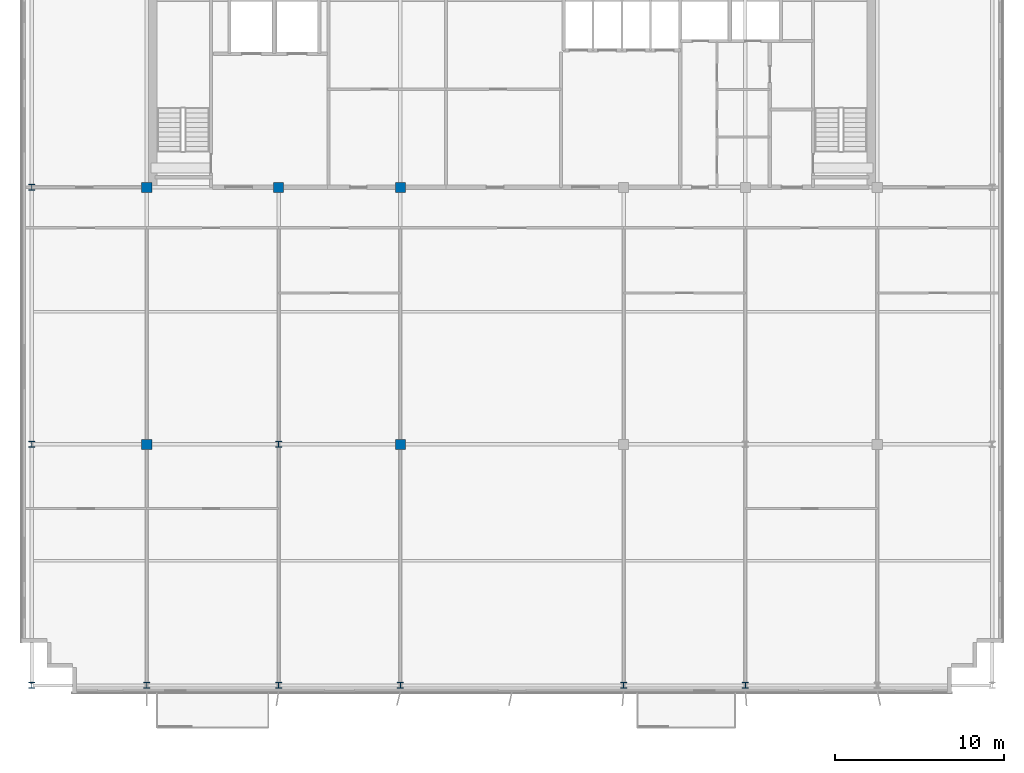
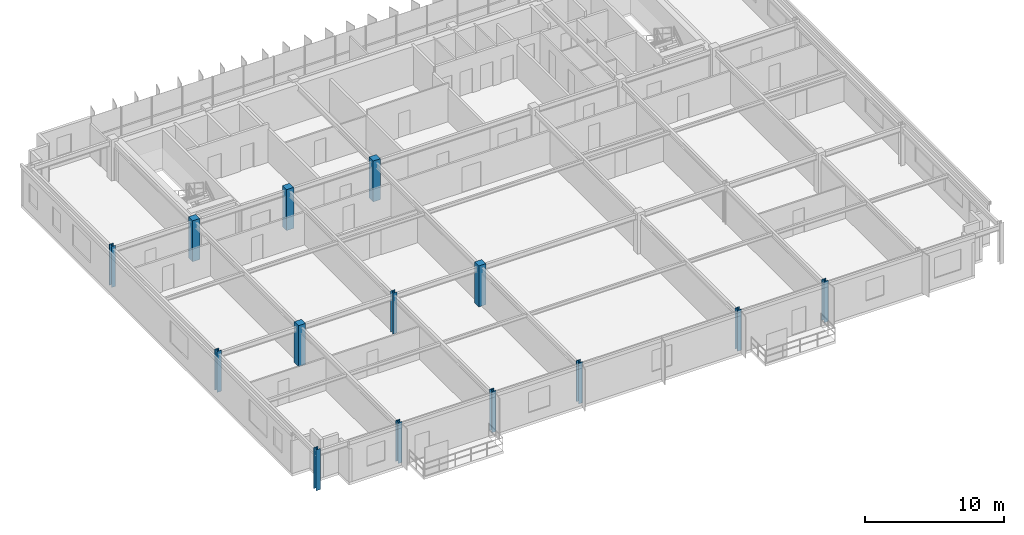
# One storey, part 1 of 21: 14 columns.
"""IFC4 building model written with IfcOpenShell, lengths in metres."""

import ifcopenshell
import ifcopenshell.guid

model = None  # the IFC model being written
_history = None  # IfcOwnerHistory: only IFC2X3 demands one
_inside = {}  # id of a spatial element -> (the spatial element, [elements in it])
_under = {}  # id of a project, library or spatial element -> (it, [spatial elements below it])
_declared = {}  # id of a project -> (the project, [libraries it declares])
_typed = {}  # id of a type object -> (the type object, [elements of that type])
_made_of = {}  # id of a material, layer set ... -> (it, [elements and type objects made of it])


def new_model(schema):
    """Start an empty IFC model of exactly this schema.

    Asked for "IFC4X3", IfcOpenShell would pick the latest addendum, in which some entities
    have other attributes; the version numbers below select the first issue.
    IFC2X3 requires an IfcOwnerHistory on every rooted entity: one is made here for all.
    """
    global model, _history
    if schema == "IFC4X3":
        model = ifcopenshell.file(schema_version=(4, 3, 0, 0))
    else:
        model = ifcopenshell.file(schema=schema)
    _inside.clear()
    _under.clear()
    _declared.clear()
    _typed.clear()
    _made_of.clear()
    _history = None
    if model.schema == "IFC2X3":
        org = make("IfcOrganization", Name="unknown")
        user = make(
            "IfcPersonAndOrganization",
            ThePerson=make("IfcPerson", FamilyName="unknown"),
            TheOrganization=org,
        )
        app = make(
            "IfcApplication",
            ApplicationDeveloper=org,
            Version="unknown",
            ApplicationFullName="unknown",
            ApplicationIdentifier="unknown",
        )
        _history = make(
            "IfcOwnerHistory",
            OwningUser=user,
            OwningApplication=app,
            ChangeAction="ADDED",
            CreationDate=0,
        )
    return model


def make(cls, **values):
    """One entity of the class cls with the attributes given. An attribute that is None is left unset."""
    return model.create_entity(
        cls, **{name: value for name, value in values.items() if value is not None}
    )


def rooted(cls, **values):
    """An entity with a GlobalId (a new one), such as an element, a storey or a relation."""
    return make(cls, GlobalId=ifcopenshell.guid.new(), OwnerHistory=_history, **values)


def si_unit(unit_type, name, prefix=None):
    """IfcSIUnit, for example si_unit("LENGTHUNIT", "METRE", prefix="MILLI")."""
    return make("IfcSIUnit", UnitType=unit_type, Prefix=prefix, Name=name)


def assignment(units):
    """IfcUnitAssignment: the units of a project."""
    return None if units is None else make("IfcUnitAssignment", Units=units)


def point(xyz):
    """IfcCartesianPoint."""
    return None if xyz is None else make("IfcCartesianPoint", Coordinates=xyz)


def direction(xyz):
    """IfcDirection."""
    return None if xyz is None else make("IfcDirection", DirectionRatios=xyz)


def frame(location, z_axis=None, x_axis=None):
    """IfcAxis2Placement3D, a coordinate frame: its origin and axes. An axis left out is left unset."""
    return make(
        "IfcAxis2Placement3D",
        Location=point(location),
        Axis=direction(z_axis),
        RefDirection=direction(x_axis),
    )


def frame_2d(location, x_axis=None):
    """IfcAxis2Placement2D, a coordinate frame in the plane: its origin and x axis."""
    return make(
        "IfcAxis2Placement2D", Location=point(location), RefDirection=direction(x_axis)
    )


def origin():
    """The frame at (0, 0, 0) with its axes left unset."""
    return frame((0.0, 0.0, 0.0))


def origin_2d():
    """The frame at (0, 0) in the plane with its x axis left unset."""
    return frame_2d((0.0, 0.0))


def place(relative_to, where):
    """IfcLocalPlacement: puts the frame where relative to a parent placement (None: the world)."""
    return make(
        "IfcLocalPlacement", PlacementRelTo=relative_to, RelativePlacement=where
    )


def context(
    kind, dimensions, precision=None, world=None, true_north=None, identifier=None
):
    """IfcGeometricRepresentationContext, for example the 3D "Model" context."""
    return make(
        "IfcGeometricRepresentationContext",
        ContextIdentifier=identifier,
        ContextType=kind,
        CoordinateSpaceDimension=dimensions,
        Precision=precision,
        WorldCoordinateSystem=world,
        TrueNorth=true_north,
    )


def subcontext(parent, identifier, kind, view, scale=None):
    """IfcGeometricRepresentationSubContext, for example "Body" below "Model"."""
    return make(
        "IfcGeometricRepresentationSubContext",
        ContextIdentifier=identifier,
        ContextType=kind,
        ParentContext=parent,
        TargetScale=scale,
        TargetView=view,
    )


def project(units=None, contexts=None):
    """IfcProject with its units and contexts."""
    return rooted(
        "IfcProject",
        Name="project",
        RepresentationContexts=contexts,
        UnitsInContext=assignment(units),
    )


def spatial(cls, under=None, at=None, **own):
    """A site, building, storey or space (cls), placed at a placement, below another one or the project."""
    s = rooted(cls, ObjectPlacement=at, **own)
    if under is not None:
        _under.setdefault(under.id(), (under, []))[1].append(s)
    return s


def profile(cls, at=None, kind="AREA", **sizes):
    """A parametric profile (cls). Its sizes go by their IFC names, for example OverallWidth=200.0."""
    return make(cls, ProfileType=kind, Position=at, **sizes)


def rectangle(**sizes):
    """IfcRectangleProfileDef."""
    return profile("IfcRectangleProfileDef", **sizes)


def i_section(**sizes):
    """IfcIShapeProfileDef."""
    return profile("IfcIShapeProfileDef", **sizes)


def extrude(swept, where, along, depth):
    """IfcExtrudedAreaSolid: the profile swept, set in the frame where, extruded along a direction by depth."""
    return make(
        "IfcExtrudedAreaSolid",
        SweptArea=swept,
        Position=where,
        ExtrudedDirection=direction(along),
        Depth=depth,
    )


def shape(context_of_items, identifier, shape_type, items):
    """IfcShapeRepresentation: the items that make up one representation, for example the "Body"."""
    return make(
        "IfcShapeRepresentation",
        ContextOfItems=context_of_items,
        RepresentationIdentifier=identifier,
        RepresentationType=shape_type,
        Items=items,
    )


def source(mapping_origin, context_of_items, identifier, shape_type, items):
    """IfcRepresentationMap: a shape defined once, which mapped items show again and again."""
    return make(
        "IfcRepresentationMap",
        MappingOrigin=mapping_origin,
        MappedRepresentation=shape(context_of_items, identifier, shape_type, items),
    )


def transform(
    local_origin,
    x_axis=None,
    y_axis=None,
    z_axis=None,
    scale=None,
    scale2=None,
    scale3=None,
    uniform=True,
):
    """IfcCartesianTransformationOperator3D, or its non-uniform kind. x_axis, y_axis, z_axis: its Axis1, 2, 3."""
    if uniform:
        return make(
            "IfcCartesianTransformationOperator3D",
            Axis1=direction(x_axis),
            Axis2=direction(y_axis),
            LocalOrigin=point(local_origin),
            Scale=scale,
            Axis3=direction(z_axis),
        )
    return make(
        "IfcCartesianTransformationOperator3DnonUniform",
        Axis1=direction(x_axis),
        Axis2=direction(y_axis),
        LocalOrigin=point(local_origin),
        Scale=scale,
        Axis3=direction(z_axis),
        Scale2=scale2,
        Scale3=scale3,
    )


def mapped(mapping_source, mapping_target):
    """IfcMappedItem: shows the shape of a source again, moved by a transform."""
    return make(
        "IfcMappedItem", MappingSource=mapping_source, MappingTarget=mapping_target
    )


def material(Name=None, Category=None):
    """IfcMaterial."""
    return make("IfcMaterial", Name=Name, Category=Category)


def material_profile(
    of_material, cross_section, Name=None, Category=None, Priority=None
):
    """IfcMaterialProfile: a cross section and its material."""
    return make(
        "IfcMaterialProfile",
        Name=Name,
        Material=of_material,
        Profile=cross_section,
        Priority=Priority,
        Category=Category,
    )


def profile_set(profiles, Name=None, composite=None):
    """IfcMaterialProfileSet."""
    return make(
        "IfcMaterialProfileSet",
        Name=Name,
        MaterialProfiles=profiles,
        CompositeProfile=composite,
    )


def made_of(thing, what):
    """Note that an element or type object is made of a material, layer set ...; save() writes the relation."""
    if what is not None:
        _made_of.setdefault(what.id(), (what, []))[1].append(thing)
    return thing


def type_object(cls, material=None, **own):
    """A type object (cls), such as IfcWallType, which elements share."""
    return made_of(rooted(cls, **own), material)


def element(
    cls,
    number,
    at=None,
    inside=None,
    cuts=None,
    type_object=None,
    material=None,
    context=None,
    identifier="Body",
    shape_type=None,
    held_by="IfcProductDefinitionShape",
    body=None,
    shapes=None,
    **own,
):
    """One element of the class cls, such as IfcWall. Its Tag is "e" and its number.

    at: its placement. inside: the storey or other place that contains it. cuts: it is an
    opening in that element (IfcRelVoidsElement). A single representation is given by context,
    identifier, shape_type and body (its items); several are given by shapes. held_by: the class
    of the entity that holds the representations. save() writes the other relations.
    """
    e = rooted(cls, Tag="e%d" % number, ObjectPlacement=at, **own)
    if body is not None:
        shapes = [shape(context, identifier, shape_type, body)]
    if shapes is not None:
        e.Representation = make(held_by, Representations=shapes)
    if inside is not None:
        _inside.setdefault(inside.id(), (inside, []))[1].append(e)
    if cuts is not None:
        rooted(
            "IfcRelVoidsElement", RelatingBuildingElement=cuts, RelatedOpeningElement=e
        )
    if type_object is not None:
        _typed.setdefault(type_object.id(), (type_object, []))[1].append(e)
    return made_of(e, material)


def aggregate(whole, parts):
    """IfcRelAggregates: a whole, such as a stair, and the parts it consists of."""
    return rooted("IfcRelAggregates", RelatingObject=whole, RelatedObjects=parts)


def save(model, path):
    """Write the relations noted so far, then the file.

    IfcRelAggregates (storeys below a building ...), IfcRelContainedInSpatialStructure (elements
    in a storey), IfcRelDefinesByType, IfcRelAssociatesMaterial and IfcRelDeclares: one each for
    every whole, place, type object, material and project.
    """
    for whole, parts in _under.values():
        aggregate(whole, parts)
    for where, things in _inside.values():
        rooted(
            "IfcRelContainedInSpatialStructure",
            RelatedElements=things,
            RelatingStructure=where,
        )
    for kind, things in _typed.values():
        rooted("IfcRelDefinesByType", RelatedObjects=things, RelatingType=kind)
    for what, things in _made_of.values():
        rooted("IfcRelAssociatesMaterial", RelatedObjects=things, RelatingMaterial=what)
    for by, libraries in _declared.values():
        rooted("IfcRelDeclares", RelatingContext=by, RelatedDefinitions=libraries)
    model.write(path)


model = new_model("IFC4")

# Units and contexts
model_context = context("Model", 3, precision=1e-05, world=origin(), true_north=direction((0.0, 1.0)))
body_context = subcontext(model_context, "Body", "Model", "MODEL_VIEW")
ifc_project = project(units=[si_unit("LENGTHUNIT", "METRE"), si_unit("AREAUNIT", "SQUARE_METRE"), si_unit("VOLUMEUNIT", "CUBIC_METRE"), si_unit("PLANEANGLEUNIT", "RADIAN"), si_unit("MASSUNIT", "GRAM", prefix="KILO")], contexts=[model_context])

# Site, building, storey
site_placement = place(None, origin())
site = spatial("IfcSite", under=ifc_project, at=site_placement, CompositionType="ELEMENT")
building_placement = place(site_placement, origin())
building = spatial("IfcBuilding", under=site, at=building_placement, Name="Trelvane Seafront Commons", CompositionType="ELEMENT")
storey_placement = place(building_placement, frame((0.0, 0.0, 255.89990234375)))
storey = spatial("IfcBuildingStorey", under=building, at=storey_placement, Name="L66", CompositionType="ELEMENT", Elevation=255.89990234375)

# Columns
ifc_material_1 = material(Name="Steel SM355 (S355)", Category="steel")
ifc_material_profile_1 = material_profile(ifc_material_1, i_section(OverallWidth=0.35009765625, OverallDepth=0.35009765625, WebThickness=0.01806640625, FlangeThickness=0.028076171875, at=origin_2d()), Name="HD-350x350x18x28")
ifc_profile_set_1 = profile_set([ifc_material_profile_1], Name="Steel SM355 (S355)")
column_type_1 = type_object("IfcColumnType", Name="STR-COL-HD350", PredefinedType="COLUMN", material=ifc_profile_set_1)
shared_shape_1 = source(origin(), body_context, "Body", "SweptSolid", [
    extrude(i_section(OverallWidth=0.35009765625, OverallDepth=0.35009765625, WebThickness=0.01806640625, FlangeThickness=0.028076171875, at=origin_2d()), origin(), (0.0, 0.0, 1.0), 3.60009765625),
])
for number, where, z_axis, x_axis, name in (
    (1, (8.800048828125, 3.949951171875, 0.0), (0.0, 0.0, 1.0), (1.0, 0.0, 0.0), "L66 Column TC-S8.8"),
    (2, (8.800048828125, 18.199951171875, 0.0), (0.0, 0.0, 1.0), (1.0, 0.0, 0.0), "L66 Column TC-M8.8"),
    (3, (8.800048828125, 33.39990234375, 0.0), (0.0, 0.0, 1.0), (1.0, 0.0, 0.0), "L66 Column TC-CS8.8"),
    (4, (15.60009765625, 3.949951171875, 0.0), (0.0, 0.0, 1.0), (1.0, 0.0, 0.0), "L66 Column TC-S15.6"),
    (5, (23.39990234375, 3.949951171875, 0.0), (0.0, 0.0, 1.0), (1.0, 0.0, 0.0), "L66 Column TC-S23.4"),
    (6, (23.39990234375, 18.199951171875, 0.0), (0.0, 0.0, 1.0), (1.0, 0.0, 0.0), "L66 Column TC-M23.4"),
    (7, (30.60009765625, 3.949951171875, 0.0), (0.0, 0.0, 1.0), (1.0, 0.0, 0.0), "L66 Column TC-S30.6"),
    (8, (43.800048828125, 3.949951171875, 0.0), (0.0, 0.0, 1.0), (1.0, 0.0, 0.0), "L66 Column TC-S43.8"),
    (9, (51.0, 3.949951171875, 0.0), (0.0, 0.0, 1.0), (1.0, 0.0, 0.0), "L66 Column TC-S51.0"),
):
    element("IfcColumn", number, at=place(storey_placement, frame(where, z_axis=z_axis, x_axis=x_axis)), inside=storey, type_object=column_type_1, Name=name, PredefinedType="COLUMN", context=body_context, shape_type="MappedRepresentation", body=[
        mapped(shared_shape_1, transform((0.0, 0.0, 0.0), x_axis=(1.0, 0.0, 0.0), y_axis=(0.0, 1.0, 0.0), z_axis=(0.0, 0.0, 1.0), scale=1.0)),
    ])
ifc_material_2 = material(Name="Concrete C50/60", Category="concrete")
ifc_material_profile_2 = material_profile(ifc_material_2, rectangle(XDim=0.60009765625, YDim=0.60009765625, at=origin_2d()), Name="RC-600x600")
ifc_profile_set_2 = profile_set([ifc_material_profile_2], Name="Concrete C50/60")
column_type_2 = type_object("IfcColumnType", Name="STR-COL-RC600", PredefinedType="COLUMN", material=ifc_profile_set_2)
shared_shape_2 = source(origin(), body_context, "Body", "SweptSolid", [
    extrude(rectangle(XDim=0.60009765625, YDim=0.60009765625, at=origin_2d()), origin(), (0.0, 0.0, 1.0), 3.60009765625),
])
for number, where, z_axis, x_axis, name in (
    (10, (15.60009765625, 18.199951171875, 0.0), (0.0, 0.0, 1.0), (1.0, 0.0, 0.0), "L66 Column TC-M15.6"),
    (11, (15.60009765625, 33.39990234375, 0.0), (0.0, 0.0, 1.0), (1.0, 0.0, 0.0), "L66 Column TC-CS15.6"),
    (12, (23.39990234375, 33.39990234375, 0.0), (0.0, 0.0, 1.0), (1.0, 0.0, 0.0), "L66 Column TC-CS23.4"),
    (13, (30.60009765625, 18.199951171875, 0.0), (0.0, 0.0, 1.0), (1.0, 0.0, 0.0), "L66 Column TC-M30.6"),
    (14, (30.60009765625, 33.39990234375, 0.0), (0.0, 0.0, 1.0), (1.0, 0.0, 0.0), "L66 Column TC-CS30.6"),
):
    element("IfcColumn", number, at=place(storey_placement, frame(where, z_axis=z_axis, x_axis=x_axis)), inside=storey, type_object=column_type_2, Name=name, PredefinedType="COLUMN", context=body_context, shape_type="MappedRepresentation", body=[
        mapped(shared_shape_2, transform((0.0, 0.0, 0.0), x_axis=(1.0, 0.0, 0.0), y_axis=(0.0, 1.0, 0.0), z_axis=(0.0, 0.0, 1.0), scale=1.0)),
    ])

save(model, "model.ifc")
